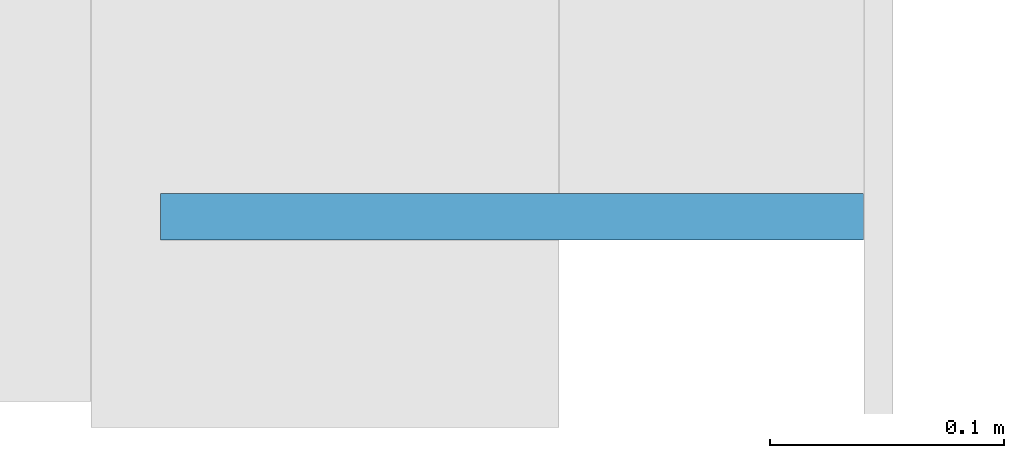
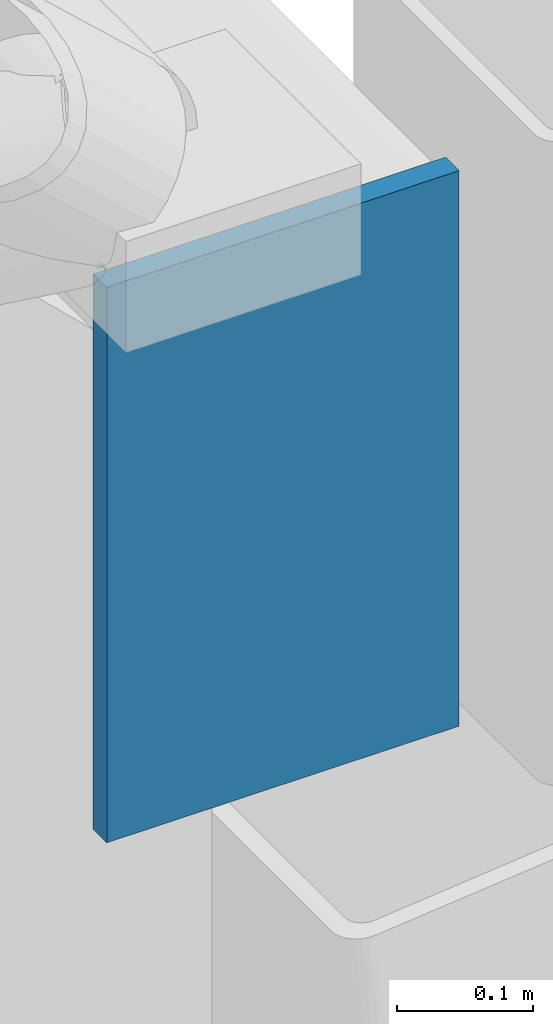
# One storey, part 96 of 141: 1 plate.
"""IFC4 building model written with IfcOpenShell, lengths in metres."""

from ifc_helpers import new_model, si_unit, direction, frame, origin, origin_2d, place, context, subcontext, project, spatial, rectangle, extrude, material, layer, layer_set, type_object, element, save


model = new_model("IFC4")

# Units and contexts
model_context = context("Model", 3, precision=1e-05, world=origin(), true_north=direction((0.0, 1.0)))
body_context = subcontext(model_context, "Body", "Model", "MODEL_VIEW")
ifc_project = project(units=[si_unit("LENGTHUNIT", "METRE"), si_unit("AREAUNIT", "SQUARE_METRE"), si_unit("VOLUMEUNIT", "CUBIC_METRE"), si_unit("PLANEANGLEUNIT", "RADIAN"), si_unit("MASSUNIT", "GRAM", prefix="KILO")], contexts=[model_context])

# Site, building, storey
site_placement = place(None, origin())
site = spatial("IfcSite", under=ifc_project, at=site_placement, CompositionType="ELEMENT")
building_placement = place(site_placement, origin())
building = spatial("IfcBuilding", under=site, at=building_placement, Name="Lantern Court Media Centre", CompositionType="ELEMENT")
storey_placement = place(building_placement, frame((0.0, 0.0, 9.60009765625)))
storey = spatial("IfcBuildingStorey", under=building, at=storey_placement, Name="L02", CompositionType="ELEMENT", Elevation=9.60009765625)

# Plate
ifc_material = material(Name="Steel S355J2 (EN 10025-2)", Category="steel")
ifc_layer = layer(ifc_material, 0.02001953125)
ifc_layer_set = layer_set([ifc_layer], Name="Steel S355J2 (EN 10025-2)")
plate_type = type_object("IfcPlateType", Name="Steel end plate 20", PredefinedType="SHEET", material=ifc_layer_set)
plate_placement = place(storey_placement, frame((32.14990234375, -2.010009765625, 4.199951171875), z_axis=(0.0, 0.0, 1.0), x_axis=(1.0, 0.0, 0.0)))
element("IfcPlate", 1, at=plate_placement, inside=storey, type_object=plate_type, Name="Cinema Hall edge girder end plate east south", PredefinedType="SHEET", context=body_context, shape_type="SweptSolid", body=[
    extrude(rectangle(XDim=0.300048828125, YDim=0.02001953125, at=origin_2d()), origin(), (0.0, 0.0, 1.0), 0.5),
])

save(model, "model.ifc")
